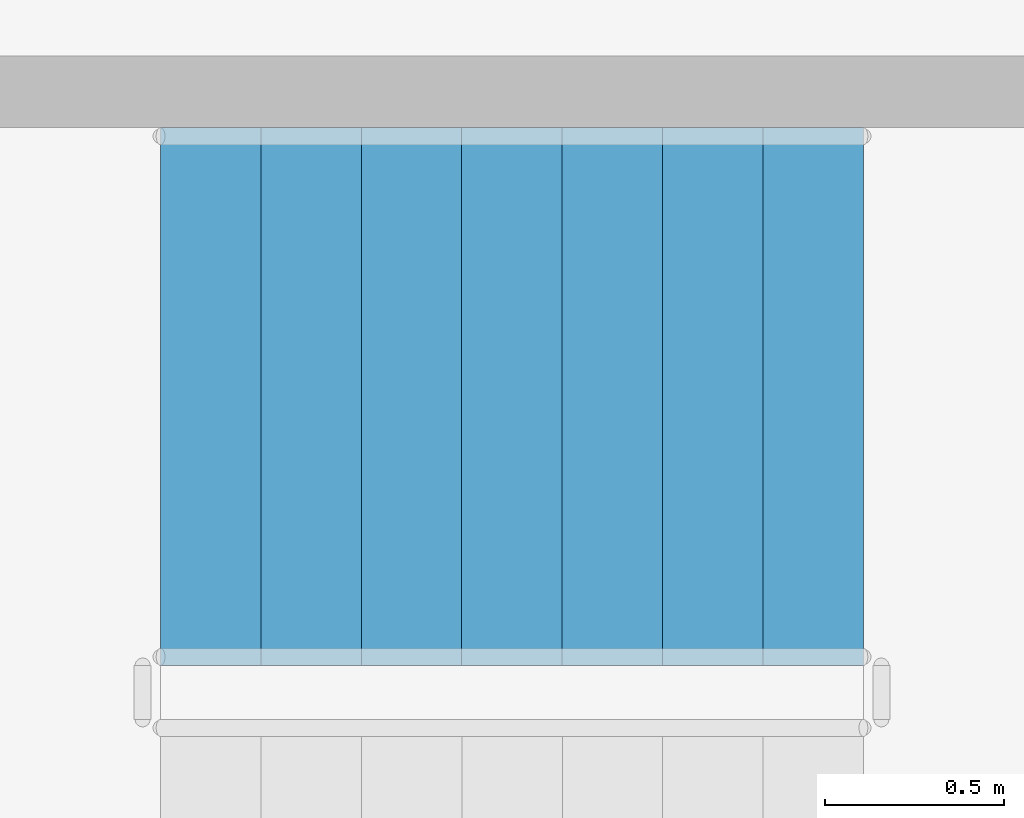
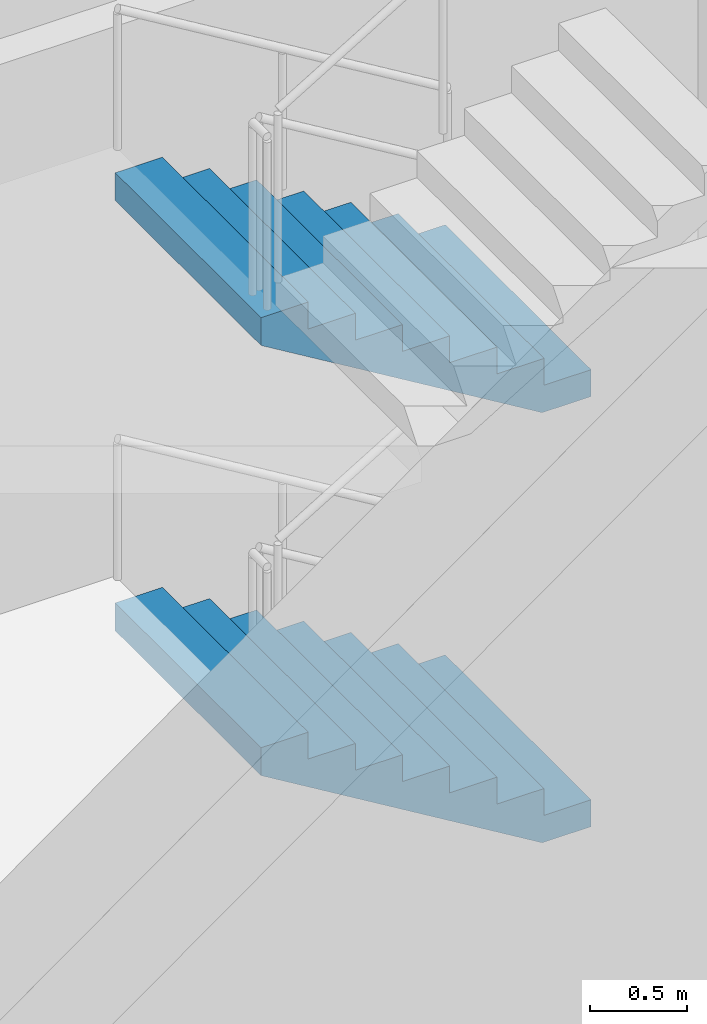
# One storey, part 44 of 101: 2 stair flights, 1 element without a shape of its own.
"""IFC4 building model written with IfcOpenShell, lengths in metres."""

from ifc_helpers import new_model, si_unit, direction, frame, origin, place, context, subcontext, project, spatial, triangles, material, type_object, element, aggregate, save


model = new_model("IFC4")

# Units and contexts
model_context = context("Model", 3, precision=1e-05, world=origin(), true_north=direction((0.0, 1.0)))
body_context = subcontext(model_context, "Body", "Model", "MODEL_VIEW")
ifc_project = project(units=[si_unit("LENGTHUNIT", "METRE"), si_unit("AREAUNIT", "SQUARE_METRE"), si_unit("VOLUMEUNIT", "CUBIC_METRE"), si_unit("PLANEANGLEUNIT", "RADIAN"), si_unit("MASSUNIT", "GRAM", prefix="KILO")], contexts=[model_context])

# Site, building, storey
site_placement = place(None, origin())
site = spatial("IfcSite", under=ifc_project, at=site_placement, CompositionType="ELEMENT")
building_placement = place(site_placement, origin())
building = spatial("IfcBuilding", under=site, at=building_placement, Name="Magnolia Steps Interchange", CompositionType="ELEMENT")
storey_placement = place(building_placement, frame((0.0, 0.0, -5.39990234375)))
storey = spatial("IfcBuildingStorey", under=building, at=storey_placement, Name="B1", CompositionType="ELEMENT", Elevation=-5.39990234375)

# Stair, stair flights
ifc_material_1 = material(Name="Concrete C40", Category="concrete")
stair_type = type_object("IfcStairType", Name="Exit stair 1500", PredefinedType="HALF_TURN_STAIR", material=ifc_material_1)
stair_placement = place(storey_placement, origin())
stair = element("IfcStair", 1, at=stair_placement, inside=storey, type_object=stair_type, Name="B1 Stair 5", PredefinedType="HALF_TURN_STAIR")
ifc_material_2 = material(Name="Concrete C40", Category="concrete")
stair_flight_type = type_object("IfcStairFlightType", Name="Exit stair flight", PredefinedType="STRAIGHT", material=ifc_material_2)
stair_flight_1_placement = place(storey_placement, frame((59.0, 45.300048828125, 0.0), z_axis=(0.0, 0.0, 1.0), x_axis=(-1.0, 0.0, 0.0)))
stair_flight_1 = element("IfcStairFlight", 2, at=stair_flight_1_placement, type_object=stair_flight_type, Name="Stair 5 flight 1", NumberOfRisers=8, NumberOfTreads=7, PredefinedType="STRAIGHT", RiserHeight=0.16875, TreadLength=0.28, context=body_context, shape_type="Tessellation", body=[
    triangles([(0.0, -0.75, 0.0), (0.29052734375, -0.75, 0.0), (1.9599609375, -0.75, 1.00634765625), (1.9599609375, -0.75, 1.18115234375), (1.679931640625, -0.75, 1.18115234375), (1.679931640625, -0.75, 1.012451171875), (1.39990234375, -0.75, 1.012451171875), (1.39990234375, -0.75, 0.84375), (1.1201171875, -0.75, 0.84375), (1.1201171875, -0.75, 0.675048828125), (0.840087890625, -0.75, 0.675048828125), (0.840087890625, -0.75, 0.50634765625), (0.56005859375, -0.75, 0.50634765625), (0.56005859375, -0.75, 0.33740234375), (0.280029296875, -0.75, 0.33740234375), (0.280029296875, -0.75, 0.168701171875), (0.0, -0.75, 0.168701171875), (0.0, 0.75, 0.0), (0.29052734375, 0.75, 0.0), (1.9599609375, 0.75, 1.00634765625), (1.9599609375, 0.75, 1.18115234375), (1.679931640625, 0.75, 1.18115234375), (1.679931640625, 0.75, 1.012451171875), (1.39990234375, 0.75, 1.012451171875), (1.39990234375, 0.75, 0.84375), (1.1201171875, 0.75, 0.84375), (1.1201171875, 0.75, 0.675048828125), (0.840087890625, 0.75, 0.675048828125), (0.840087890625, 0.75, 0.50634765625), (0.56005859375, 0.75, 0.50634765625), (0.56005859375, 0.75, 0.33740234375), (0.280029296875, 0.75, 0.33740234375), (0.280029296875, 0.75, 0.168701171875), (0.0, 0.75, 0.168701171875), (0.0, 0.0, 0.0), (0.0, 0.0, 0.04217529296875), (0.0, 0.0, 0.0843505859375), (0.0, 0.0, 0.12652587890625), (0.0, 0.0, 0.168701171875), (0.0, -0.05, 0.0), (0.0, -0.05, 0.168701171875), (0.0, 0.05, 0.0), (0.0, 0.05, 0.168701171875), (0.046671549479166664, 0.0, 0.168701171875), (0.09334309895833333, 0.0, 0.168701171875), (0.1400146484375, 0.0, 0.168701171875), (0.18668619791666666, 0.0, 0.168701171875), (0.23335774739583334, 0.0, 0.168701171875), (0.280029296875, 0.0, 0.168701171875), (0.280029296875, -0.05, 0.168701171875), (0.280029296875, 0.05, 0.168701171875), (0.280029296875, 0.0, 0.21087646484375), (0.280029296875, 0.0, 0.2530517578125), (0.280029296875, 0.0, 0.29522705078125), (0.280029296875, 0.0, 0.33740234375), (0.280029296875, -0.05, 0.33740234375), (0.280029296875, 0.05, 0.33740234375), (0.3267008463541667, 0.0, 0.33740234375), (0.3733723958333333, 0.0, 0.33740234375), (0.4200439453125, 0.0, 0.33740234375), (0.46671549479166663, 0.0, 0.33740234375), (0.5133870442708334, 0.0, 0.33740234375), (0.56005859375, 0.0, 0.33740234375), (0.56005859375, -0.05, 0.33740234375), (0.56005859375, 0.05, 0.33740234375), (0.56005859375, 0.0, 0.379638671875), (0.56005859375, 0.0, 0.421875), (0.56005859375, 0.0, 0.464111328125), (0.56005859375, 0.0, 0.50634765625), (0.56005859375, -0.05, 0.50634765625), (0.56005859375, 0.05, 0.50634765625), (0.6067301432291666, 0.0, 0.50634765625), (0.6534016927083334, 0.0, 0.50634765625), (0.7000732421875, 0.0, 0.50634765625), (0.7467447916666666, 0.0, 0.50634765625), (0.7934163411458334, 0.0, 0.50634765625), (0.840087890625, 0.0, 0.50634765625), (0.840087890625, -0.05, 0.50634765625), (0.840087890625, 0.05, 0.50634765625), (0.840087890625, 0.0, 0.54852294921875), (0.840087890625, 0.0, 0.5906982421875), (0.840087890625, 0.0, 0.63287353515625), (0.840087890625, 0.0, 0.675048828125), (0.840087890625, -0.05, 0.675048828125), (0.840087890625, 0.05, 0.675048828125), (0.8867594401041666, 0.0, 0.675048828125), (0.9334309895833334, 0.0, 0.675048828125), (0.9801025390625, 0.0, 0.675048828125), (1.0267740885416667, 0.0, 0.675048828125), (1.0734456380208333, 0.0, 0.675048828125), (1.1201171875, 0.0, 0.675048828125), (1.1201171875, -0.05, 0.675048828125), (1.1201171875, 0.05, 0.675048828125), (1.1201171875, 0.0, 0.71722412109375), (1.1201171875, 0.0, 0.7593994140625), (1.1201171875, 0.0, 0.80157470703125), (1.1201171875, 0.0, 0.84375), (1.1201171875, -0.05, 0.84375), (1.1201171875, 0.05, 0.84375), (1.1900634765625, 0.0, 0.84375), (1.260009765625, 0.0, 0.84375), (1.3299560546875, 0.0, 0.84375), (1.39990234375, 0.0, 0.84375), (1.39990234375, -0.05, 0.84375), (1.39990234375, 0.05, 0.84375), (1.39990234375, 0.0, 0.88592529296875), (1.39990234375, 0.0, 0.9281005859375), (1.39990234375, 0.0, 0.97027587890625), (1.39990234375, 0.0, 1.012451171875), (1.39990234375, -0.05, 1.012451171875), (1.39990234375, 0.05, 1.012451171875), (1.4465738932291667, 0.0, 1.012451171875), (1.4932454427083333, 0.0, 1.012451171875), (1.5399169921875, 0.0, 1.012451171875), (1.5865885416666667, 0.0, 1.012451171875), (1.6332600911458333, 0.0, 1.012451171875), (1.679931640625, 0.0, 1.012451171875), (1.679931640625, -0.05, 1.012451171875), (1.679931640625, 0.05, 1.012451171875), (1.679931640625, 0.0, 1.05462646484375), (1.679931640625, 0.0, 1.0968017578125), (1.679931640625, 0.0, 1.13897705078125), (1.679931640625, 0.0, 1.18115234375), (1.679931640625, -0.05, 1.18115234375), (1.679931640625, 0.05, 1.18115234375), (1.7266031901041667, 0.0, 1.18115234375), (1.7732747395833333, 0.0, 1.18115234375), (1.8199462890625, 0.0, 1.18115234375), (1.8666178385416667, 0.0, 1.18115234375), (1.9132893880208333, 0.0, 1.18115234375), (1.9599609375, 0.0, 1.18115234375), (1.9599609375, -0.05, 1.18115234375), (1.9599609375, 0.05, 1.18115234375), (1.9599609375, 0.0, 1.137451171875), (1.9599609375, 0.0, 1.09375), (1.9599609375, 0.0, 1.050048828125), (1.9599609375, 0.0, 1.00634765625), (1.9599609375, -0.05, 1.00634765625), (1.9599609375, 0.05, 1.00634765625), (1.9003383091517858, 0.0, 0.9704066685267857), (1.8407156808035714, 0.0, 0.9344656808035714), (1.7810930524553572, 0.0, 0.8985246930803571), (1.7214704241071428, 0.0, 0.8625837053571428), (1.6618477957589286, 0.0, 0.8266427176339286), (1.6022251674107144, 0.0, 0.7907017299107143), (1.5426025390625, 0.0, 0.7547607421875), (1.4829799107142856, 0.0, 0.7188197544642857), (1.4233572823660714, 0.0, 0.6828787667410714), (1.3637346540178572, 0.0, 0.6469377790178572), (1.3041120256696428, 0.0, 0.6109967912946428), (1.2444893973214286, 0.0, 0.5750558035714286), (1.1848667689732144, 0.0, 0.5391148158482143), (1.125244140625, 0.0, 0.503173828125), (1.0656215122767856, 0.0, 0.4672328404017857), (1.0059988839285714, 0.0, 0.4312918526785714), (0.9463762555803572, 0.0, 0.3953508649553571), (0.8867536272321428, 0.0, 0.3594098772321429), (0.8271309988839286, 0.0, 0.3234688895089286), (0.7675083705357142, 0.0, 0.2875279017857143), (0.7078857421875, 0.0, 0.2515869140625), (0.6482631138392858, 0.0, 0.2156459263392857), (0.5886404854910714, 0.0, 0.1797049386160714), (0.5290178571428572, 0.0, 0.1437639508928571), (0.4693952287946428, 0.0, 0.1078229631696429), (0.4097726004464286, 0.0, 0.0718819754464286), (0.3501499720982142, 0.0, 0.0359409877232143), (0.29052734375, 0.0, 0.0), (0.29052734375, -0.05, 0.0), (0.29052734375, 0.05, 0.0), (0.24210611979166666, 0.0, 0.0), (0.19368489583333331, 0.0, 0.0), (0.145263671875, 0.0, 0.0), (0.09684244791666666, 0.0, 0.0), (0.04842122395833334, 0.0, 0.0)], [[1, 2, 3], [3, 4, 5], [3, 5, 6], [3, 6, 7], [3, 7, 8], [8, 9, 10], [3, 8, 10], [10, 11, 12], [3, 10, 12], [12, 13, 14], [3, 12, 14], [14, 15, 16], [3, 14, 16], [1, 3, 16], [16, 17, 1], [18, 20, 19], [20, 22, 21], [20, 23, 22], [20, 24, 23], [20, 25, 24], [25, 27, 26], [20, 27, 25], [27, 29, 28], [20, 29, 27], [29, 31, 30], [20, 31, 29], [31, 33, 32], [20, 33, 31], [18, 33, 20], [33, 18, 34], [1, 17, 41], [1, 41, 40], [40, 36, 35], [40, 37, 36], [40, 41, 37], [41, 38, 37], [41, 39, 38], [18, 43, 34], [18, 42, 43], [42, 35, 36], [42, 36, 37], [42, 37, 43], [43, 37, 38], [43, 38, 39], [17, 16, 50], [17, 50, 41], [41, 44, 39], [41, 45, 44], [41, 46, 45], [41, 50, 46], [50, 47, 46], [50, 48, 47], [50, 49, 48], [34, 51, 33], [34, 43, 51], [43, 39, 44], [43, 44, 45], [43, 45, 46], [43, 46, 51], [51, 46, 47], [51, 47, 48], [51, 48, 49], [16, 15, 56], [16, 56, 50], [50, 52, 49], [50, 53, 52], [50, 56, 53], [56, 54, 53], [56, 55, 54], [33, 57, 32], [33, 51, 57], [51, 49, 52], [51, 52, 53], [51, 53, 57], [57, 53, 54], [57, 54, 55], [15, 14, 64], [15, 64, 56], [56, 58, 55], [56, 59, 58], [56, 60, 59], [56, 64, 60], [64, 61, 60], [64, 62, 61], [64, 63, 62], [32, 65, 31], [32, 57, 65], [57, 55, 58], [57, 58, 59], [57, 59, 60], [57, 60, 65], [65, 60, 61], [65, 61, 62], [65, 62, 63], [14, 13, 70], [14, 70, 64], [64, 66, 63], [64, 67, 66], [64, 70, 67], [70, 68, 67], [70, 69, 68], [31, 71, 30], [31, 65, 71], [65, 63, 66], [65, 66, 67], [65, 67, 71], [71, 67, 68], [71, 68, 69], [13, 12, 78], [13, 78, 70], [70, 72, 69], [70, 73, 72], [70, 74, 73], [70, 78, 74], [78, 75, 74], [78, 76, 75], [78, 77, 76], [30, 79, 29], [30, 71, 79], [71, 69, 72], [71, 72, 73], [71, 73, 74], [71, 74, 79], [79, 74, 75], [79, 75, 76], [79, 76, 77], [12, 11, 84], [12, 84, 78], [78, 80, 77], [78, 81, 80], [78, 84, 81], [84, 82, 81], [84, 83, 82], [29, 85, 28], [29, 79, 85], [79, 77, 80], [79, 80, 81], [79, 81, 85], [85, 81, 82], [85, 82, 83], [11, 10, 92], [11, 92, 84], [84, 86, 83], [84, 87, 86], [84, 88, 87], [84, 92, 88], [92, 89, 88], [92, 90, 89], [92, 91, 90], [28, 93, 27], [28, 85, 93], [85, 83, 86], [85, 86, 87], [85, 87, 88], [85, 88, 93], [93, 88, 89], [93, 89, 90], [93, 90, 91], [10, 9, 98], [10, 98, 92], [92, 94, 91], [92, 95, 94], [92, 98, 95], [98, 96, 95], [98, 97, 96], [27, 99, 26], [27, 93, 99], [93, 91, 94], [93, 94, 95], [93, 95, 99], [99, 95, 96], [99, 96, 97], [9, 8, 104], [9, 104, 98], [98, 100, 97], [98, 101, 100], [98, 104, 101], [104, 102, 101], [104, 103, 102], [26, 105, 25], [26, 99, 105], [99, 97, 100], [99, 100, 101], [99, 101, 105], [105, 101, 102], [105, 102, 103], [8, 7, 110], [8, 110, 104], [104, 106, 103], [104, 107, 106], [104, 110, 107], [110, 108, 107], [110, 109, 108], [25, 111, 24], [25, 105, 111], [105, 103, 106], [105, 106, 107], [105, 107, 111], [111, 107, 108], [111, 108, 109], [7, 6, 118], [7, 118, 110], [110, 112, 109], [110, 113, 112], [110, 114, 113], [110, 118, 114], [118, 115, 114], [118, 116, 115], [118, 117, 116], [24, 119, 23], [24, 111, 119], [111, 109, 112], [111, 112, 113], [111, 113, 114], [111, 114, 119], [119, 114, 115], [119, 115, 116], [119, 116, 117], [6, 5, 124], [6, 124, 118], [118, 120, 117], [118, 121, 120], [118, 124, 121], [124, 122, 121], [124, 123, 122], [23, 125, 22], [23, 119, 125], [119, 117, 120], [119, 120, 121], [119, 121, 125], [125, 121, 122], [125, 122, 123], [5, 4, 132], [5, 132, 124], [124, 126, 123], [124, 127, 126], [124, 128, 127], [124, 132, 128], [132, 129, 128], [132, 130, 129], [132, 131, 130], [22, 133, 21], [22, 125, 133], [125, 123, 126], [125, 126, 127], [125, 127, 128], [125, 128, 133], [133, 128, 129], [133, 129, 130], [133, 130, 131], [4, 3, 138], [4, 138, 132], [132, 134, 131], [132, 135, 134], [132, 138, 135], [138, 136, 135], [138, 137, 136], [21, 139, 20], [21, 133, 139], [133, 131, 134], [133, 134, 135], [133, 135, 139], [139, 135, 136], [139, 136, 137], [3, 2, 168], [3, 168, 138], [138, 140, 137], [138, 141, 140], [138, 142, 141], [138, 143, 142], [138, 144, 143], [138, 145, 144], [138, 146, 145], [138, 147, 146], [138, 148, 147], [138, 149, 148], [138, 150, 149], [138, 151, 150], [138, 152, 151], [138, 153, 152], [138, 168, 153], [168, 154, 153], [168, 155, 154], [168, 156, 155], [168, 157, 156], [168, 158, 157], [168, 159, 158], [168, 160, 159], [168, 161, 160], [168, 162, 161], [168, 163, 162], [168, 164, 163], [168, 165, 164], [168, 166, 165], [168, 167, 166], [20, 169, 19], [20, 139, 169], [139, 137, 140], [139, 140, 141], [139, 141, 142], [139, 142, 143], [139, 143, 144], [139, 144, 145], [139, 145, 146], [139, 146, 147], [139, 147, 148], [139, 148, 149], [139, 149, 150], [139, 150, 151], [139, 151, 152], [139, 152, 153], [139, 153, 169], [169, 153, 154], [169, 154, 155], [169, 155, 156], [169, 156, 157], [169, 157, 158], [169, 158, 159], [169, 159, 160], [169, 160, 161], [169, 161, 162], [169, 162, 163], [169, 163, 164], [169, 164, 165], [169, 165, 166], [169, 166, 167], [2, 1, 40], [2, 40, 168], [168, 170, 167], [168, 171, 170], [168, 172, 171], [168, 40, 172], [40, 173, 172], [40, 174, 173], [40, 35, 174], [19, 42, 18], [19, 169, 42], [169, 167, 170], [169, 170, 171], [169, 171, 172], [169, 172, 42], [42, 172, 173], [42, 173, 174], [42, 174, 35]], closed=True),
])
stair_flight_2_placement = place(storey_placement, frame((59.0, 45.300048828125, 2.699951171875), z_axis=(0.0, 0.0, 1.0), x_axis=(-1.0, 0.0, 0.0)))
stair_flight_2 = element("IfcStairFlight", 3, at=stair_flight_2_placement, type_object=stair_flight_type, Name="Stair 5 flight 3", NumberOfRisers=8, NumberOfTreads=7, PredefinedType="STRAIGHT", RiserHeight=0.16875, TreadLength=0.28, context=body_context, shape_type="Tessellation", body=[
    triangles([(0.0, -0.75, 0.0), (0.29052734375, -0.75, 0.0), (1.9599609375, -0.75, 1.00634765625), (1.9599609375, -0.75, 1.18115234375), (1.679931640625, -0.75, 1.18115234375), (1.679931640625, -0.75, 1.012451171875), (1.39990234375, -0.75, 1.012451171875), (1.39990234375, -0.75, 0.84375), (1.1201171875, -0.75, 0.84375), (1.1201171875, -0.75, 0.675048828125), (0.840087890625, -0.75, 0.675048828125), (0.840087890625, -0.75, 0.50634765625), (0.56005859375, -0.75, 0.50634765625), (0.56005859375, -0.75, 0.33740234375), (0.280029296875, -0.75, 0.33740234375), (0.280029296875, -0.75, 0.168701171875), (0.0, -0.75, 0.168701171875), (0.0, 0.75, 0.0), (0.29052734375, 0.75, 0.0), (1.9599609375, 0.75, 1.00634765625), (1.9599609375, 0.75, 1.18115234375), (1.679931640625, 0.75, 1.18115234375), (1.679931640625, 0.75, 1.012451171875), (1.39990234375, 0.75, 1.012451171875), (1.39990234375, 0.75, 0.84375), (1.1201171875, 0.75, 0.84375), (1.1201171875, 0.75, 0.675048828125), (0.840087890625, 0.75, 0.675048828125), (0.840087890625, 0.75, 0.50634765625), (0.56005859375, 0.75, 0.50634765625), (0.56005859375, 0.75, 0.33740234375), (0.280029296875, 0.75, 0.33740234375), (0.280029296875, 0.75, 0.168701171875), (0.0, 0.75, 0.168701171875), (0.0, 0.0, 0.0), (0.0, 0.0, 0.04217529296875), (0.0, 0.0, 0.0843505859375), (0.0, 0.0, 0.12652587890625), (0.0, 0.0, 0.168701171875), (0.0, -0.05, 0.0), (0.0, -0.05, 0.168701171875), (0.0, 0.05, 0.0), (0.0, 0.05, 0.168701171875), (0.046671549479166664, 0.0, 0.168701171875), (0.09334309895833333, 0.0, 0.168701171875), (0.1400146484375, 0.0, 0.168701171875), (0.18668619791666666, 0.0, 0.168701171875), (0.23335774739583334, 0.0, 0.168701171875), (0.280029296875, 0.0, 0.168701171875), (0.280029296875, -0.05, 0.168701171875), (0.280029296875, 0.05, 0.168701171875), (0.280029296875, 0.0, 0.21087646484375), (0.280029296875, 0.0, 0.2530517578125), (0.280029296875, 0.0, 0.29522705078125), (0.280029296875, 0.0, 0.33740234375), (0.280029296875, -0.05, 0.33740234375), (0.280029296875, 0.05, 0.33740234375), (0.3267008463541667, 0.0, 0.33740234375), (0.3733723958333333, 0.0, 0.33740234375), (0.4200439453125, 0.0, 0.33740234375), (0.46671549479166663, 0.0, 0.33740234375), (0.5133870442708334, 0.0, 0.33740234375), (0.56005859375, 0.0, 0.33740234375), (0.56005859375, -0.05, 0.33740234375), (0.56005859375, 0.05, 0.33740234375), (0.56005859375, 0.0, 0.379638671875), (0.56005859375, 0.0, 0.421875), (0.56005859375, 0.0, 0.464111328125), (0.56005859375, 0.0, 0.50634765625), (0.56005859375, -0.05, 0.50634765625), (0.56005859375, 0.05, 0.50634765625), (0.6067301432291666, 0.0, 0.50634765625), (0.6534016927083334, 0.0, 0.50634765625), (0.7000732421875, 0.0, 0.50634765625), (0.7467447916666666, 0.0, 0.50634765625), (0.7934163411458334, 0.0, 0.50634765625), (0.840087890625, 0.0, 0.50634765625), (0.840087890625, -0.05, 0.50634765625), (0.840087890625, 0.05, 0.50634765625), (0.840087890625, 0.0, 0.54852294921875), (0.840087890625, 0.0, 0.5906982421875), (0.840087890625, 0.0, 0.63287353515625), (0.840087890625, 0.0, 0.675048828125), (0.840087890625, -0.05, 0.675048828125), (0.840087890625, 0.05, 0.675048828125), (0.8867594401041666, 0.0, 0.675048828125), (0.9334309895833334, 0.0, 0.675048828125), (0.9801025390625, 0.0, 0.675048828125), (1.0267740885416667, 0.0, 0.675048828125), (1.0734456380208333, 0.0, 0.675048828125), (1.1201171875, 0.0, 0.675048828125), (1.1201171875, -0.05, 0.675048828125), (1.1201171875, 0.05, 0.675048828125), (1.1201171875, 0.0, 0.71722412109375), (1.1201171875, 0.0, 0.7593994140625), (1.1201171875, 0.0, 0.80157470703125), (1.1201171875, 0.0, 0.84375), (1.1201171875, -0.05, 0.84375), (1.1201171875, 0.05, 0.84375), (1.1900634765625, 0.0, 0.84375), (1.260009765625, 0.0, 0.84375), (1.3299560546875, 0.0, 0.84375), (1.39990234375, 0.0, 0.84375), (1.39990234375, -0.05, 0.84375), (1.39990234375, 0.05, 0.84375), (1.39990234375, 0.0, 0.88592529296875), (1.39990234375, 0.0, 0.9281005859375), (1.39990234375, 0.0, 0.97027587890625), (1.39990234375, 0.0, 1.012451171875), (1.39990234375, -0.05, 1.012451171875), (1.39990234375, 0.05, 1.012451171875), (1.4465738932291667, 0.0, 1.012451171875), (1.4932454427083333, 0.0, 1.012451171875), (1.5399169921875, 0.0, 1.012451171875), (1.5865885416666667, 0.0, 1.012451171875), (1.6332600911458333, 0.0, 1.012451171875), (1.679931640625, 0.0, 1.012451171875), (1.679931640625, -0.05, 1.012451171875), (1.679931640625, 0.05, 1.012451171875), (1.679931640625, 0.0, 1.05462646484375), (1.679931640625, 0.0, 1.0968017578125), (1.679931640625, 0.0, 1.13897705078125), (1.679931640625, 0.0, 1.18115234375), (1.679931640625, -0.05, 1.18115234375), (1.679931640625, 0.05, 1.18115234375), (1.7266031901041667, 0.0, 1.18115234375), (1.7732747395833333, 0.0, 1.18115234375), (1.8199462890625, 0.0, 1.18115234375), (1.8666178385416667, 0.0, 1.18115234375), (1.9132893880208333, 0.0, 1.18115234375), (1.9599609375, 0.0, 1.18115234375), (1.9599609375, -0.05, 1.18115234375), (1.9599609375, 0.05, 1.18115234375), (1.9599609375, 0.0, 1.137451171875), (1.9599609375, 0.0, 1.09375), (1.9599609375, 0.0, 1.050048828125), (1.9599609375, 0.0, 1.00634765625), (1.9599609375, -0.05, 1.00634765625), (1.9599609375, 0.05, 1.00634765625), (1.9003383091517858, 0.0, 0.9704066685267857), (1.8407156808035714, 0.0, 0.9344656808035714), (1.7810930524553572, 0.0, 0.8985246930803571), (1.7214704241071428, 0.0, 0.8625837053571428), (1.6618477957589286, 0.0, 0.8266427176339286), (1.6022251674107144, 0.0, 0.7907017299107143), (1.5426025390625, 0.0, 0.7547607421875), (1.4829799107142856, 0.0, 0.7188197544642857), (1.4233572823660714, 0.0, 0.6828787667410714), (1.3637346540178572, 0.0, 0.6469377790178572), (1.3041120256696428, 0.0, 0.6109967912946428), (1.2444893973214286, 0.0, 0.5750558035714286), (1.1848667689732144, 0.0, 0.5391148158482143), (1.125244140625, 0.0, 0.503173828125), (1.0656215122767856, 0.0, 0.4672328404017857), (1.0059988839285714, 0.0, 0.4312918526785714), (0.9463762555803572, 0.0, 0.3953508649553571), (0.8867536272321428, 0.0, 0.3594098772321429), (0.8271309988839286, 0.0, 0.3234688895089286), (0.7675083705357142, 0.0, 0.2875279017857143), (0.7078857421875, 0.0, 0.2515869140625), (0.6482631138392858, 0.0, 0.2156459263392857), (0.5886404854910714, 0.0, 0.1797049386160714), (0.5290178571428572, 0.0, 0.1437639508928571), (0.4693952287946428, 0.0, 0.1078229631696429), (0.4097726004464286, 0.0, 0.0718819754464286), (0.3501499720982142, 0.0, 0.0359409877232143), (0.29052734375, 0.0, 0.0), (0.29052734375, -0.05, 0.0), (0.29052734375, 0.05, 0.0), (0.24210611979166666, 0.0, 0.0), (0.19368489583333331, 0.0, 0.0), (0.145263671875, 0.0, 0.0), (0.09684244791666666, 0.0, 0.0), (0.04842122395833334, 0.0, 0.0)], [[1, 2, 3], [3, 4, 5], [3, 5, 6], [3, 6, 7], [3, 7, 8], [8, 9, 10], [3, 8, 10], [10, 11, 12], [3, 10, 12], [12, 13, 14], [3, 12, 14], [14, 15, 16], [3, 14, 16], [1, 3, 16], [16, 17, 1], [18, 20, 19], [20, 22, 21], [20, 23, 22], [20, 24, 23], [20, 25, 24], [25, 27, 26], [20, 27, 25], [27, 29, 28], [20, 29, 27], [29, 31, 30], [20, 31, 29], [31, 33, 32], [20, 33, 31], [18, 33, 20], [33, 18, 34], [1, 17, 41], [1, 41, 40], [40, 36, 35], [40, 37, 36], [40, 41, 37], [41, 38, 37], [41, 39, 38], [18, 43, 34], [18, 42, 43], [42, 35, 36], [42, 36, 37], [42, 37, 43], [43, 37, 38], [43, 38, 39], [17, 16, 50], [17, 50, 41], [41, 44, 39], [41, 45, 44], [41, 46, 45], [41, 50, 46], [50, 47, 46], [50, 48, 47], [50, 49, 48], [34, 51, 33], [34, 43, 51], [43, 39, 44], [43, 44, 45], [43, 45, 46], [43, 46, 51], [51, 46, 47], [51, 47, 48], [51, 48, 49], [16, 15, 56], [16, 56, 50], [50, 52, 49], [50, 53, 52], [50, 56, 53], [56, 54, 53], [56, 55, 54], [33, 57, 32], [33, 51, 57], [51, 49, 52], [51, 52, 53], [51, 53, 57], [57, 53, 54], [57, 54, 55], [15, 14, 64], [15, 64, 56], [56, 58, 55], [56, 59, 58], [56, 60, 59], [56, 64, 60], [64, 61, 60], [64, 62, 61], [64, 63, 62], [32, 65, 31], [32, 57, 65], [57, 55, 58], [57, 58, 59], [57, 59, 60], [57, 60, 65], [65, 60, 61], [65, 61, 62], [65, 62, 63], [14, 13, 70], [14, 70, 64], [64, 66, 63], [64, 67, 66], [64, 70, 67], [70, 68, 67], [70, 69, 68], [31, 71, 30], [31, 65, 71], [65, 63, 66], [65, 66, 67], [65, 67, 71], [71, 67, 68], [71, 68, 69], [13, 12, 78], [13, 78, 70], [70, 72, 69], [70, 73, 72], [70, 74, 73], [70, 78, 74], [78, 75, 74], [78, 76, 75], [78, 77, 76], [30, 79, 29], [30, 71, 79], [71, 69, 72], [71, 72, 73], [71, 73, 74], [71, 74, 79], [79, 74, 75], [79, 75, 76], [79, 76, 77], [12, 11, 84], [12, 84, 78], [78, 80, 77], [78, 81, 80], [78, 84, 81], [84, 82, 81], [84, 83, 82], [29, 85, 28], [29, 79, 85], [79, 77, 80], [79, 80, 81], [79, 81, 85], [85, 81, 82], [85, 82, 83], [11, 10, 92], [11, 92, 84], [84, 86, 83], [84, 87, 86], [84, 88, 87], [84, 92, 88], [92, 89, 88], [92, 90, 89], [92, 91, 90], [28, 93, 27], [28, 85, 93], [85, 83, 86], [85, 86, 87], [85, 87, 88], [85, 88, 93], [93, 88, 89], [93, 89, 90], [93, 90, 91], [10, 9, 98], [10, 98, 92], [92, 94, 91], [92, 95, 94], [92, 98, 95], [98, 96, 95], [98, 97, 96], [27, 99, 26], [27, 93, 99], [93, 91, 94], [93, 94, 95], [93, 95, 99], [99, 95, 96], [99, 96, 97], [9, 8, 104], [9, 104, 98], [98, 100, 97], [98, 101, 100], [98, 104, 101], [104, 102, 101], [104, 103, 102], [26, 105, 25], [26, 99, 105], [99, 97, 100], [99, 100, 101], [99, 101, 105], [105, 101, 102], [105, 102, 103], [8, 7, 110], [8, 110, 104], [104, 106, 103], [104, 107, 106], [104, 110, 107], [110, 108, 107], [110, 109, 108], [25, 111, 24], [25, 105, 111], [105, 103, 106], [105, 106, 107], [105, 107, 111], [111, 107, 108], [111, 108, 109], [7, 6, 118], [7, 118, 110], [110, 112, 109], [110, 113, 112], [110, 114, 113], [110, 118, 114], [118, 115, 114], [118, 116, 115], [118, 117, 116], [24, 119, 23], [24, 111, 119], [111, 109, 112], [111, 112, 113], [111, 113, 114], [111, 114, 119], [119, 114, 115], [119, 115, 116], [119, 116, 117], [6, 5, 124], [6, 124, 118], [118, 120, 117], [118, 121, 120], [118, 124, 121], [124, 122, 121], [124, 123, 122], [23, 125, 22], [23, 119, 125], [119, 117, 120], [119, 120, 121], [119, 121, 125], [125, 121, 122], [125, 122, 123], [5, 4, 132], [5, 132, 124], [124, 126, 123], [124, 127, 126], [124, 128, 127], [124, 132, 128], [132, 129, 128], [132, 130, 129], [132, 131, 130], [22, 133, 21], [22, 125, 133], [125, 123, 126], [125, 126, 127], [125, 127, 128], [125, 128, 133], [133, 128, 129], [133, 129, 130], [133, 130, 131], [4, 3, 138], [4, 138, 132], [132, 134, 131], [132, 135, 134], [132, 138, 135], [138, 136, 135], [138, 137, 136], [21, 139, 20], [21, 133, 139], [133, 131, 134], [133, 134, 135], [133, 135, 139], [139, 135, 136], [139, 136, 137], [3, 2, 168], [3, 168, 138], [138, 140, 137], [138, 141, 140], [138, 142, 141], [138, 143, 142], [138, 144, 143], [138, 145, 144], [138, 146, 145], [138, 147, 146], [138, 148, 147], [138, 149, 148], [138, 150, 149], [138, 151, 150], [138, 152, 151], [138, 153, 152], [138, 168, 153], [168, 154, 153], [168, 155, 154], [168, 156, 155], [168, 157, 156], [168, 158, 157], [168, 159, 158], [168, 160, 159], [168, 161, 160], [168, 162, 161], [168, 163, 162], [168, 164, 163], [168, 165, 164], [168, 166, 165], [168, 167, 166], [20, 169, 19], [20, 139, 169], [139, 137, 140], [139, 140, 141], [139, 141, 142], [139, 142, 143], [139, 143, 144], [139, 144, 145], [139, 145, 146], [139, 146, 147], [139, 147, 148], [139, 148, 149], [139, 149, 150], [139, 150, 151], [139, 151, 152], [139, 152, 153], [139, 153, 169], [169, 153, 154], [169, 154, 155], [169, 155, 156], [169, 156, 157], [169, 157, 158], [169, 158, 159], [169, 159, 160], [169, 160, 161], [169, 161, 162], [169, 162, 163], [169, 163, 164], [169, 164, 165], [169, 165, 166], [169, 166, 167], [2, 1, 40], [2, 40, 168], [168, 170, 167], [168, 171, 170], [168, 172, 171], [168, 40, 172], [40, 173, 172], [40, 174, 173], [40, 35, 174], [19, 42, 18], [19, 169, 42], [169, 167, 170], [169, 170, 171], [169, 171, 172], [169, 172, 42], [42, 172, 173], [42, 173, 174], [42, 174, 35]], closed=True),
])
aggregate(stair, [stair_flight_1, stair_flight_2])

save(model, "model.ifc")
